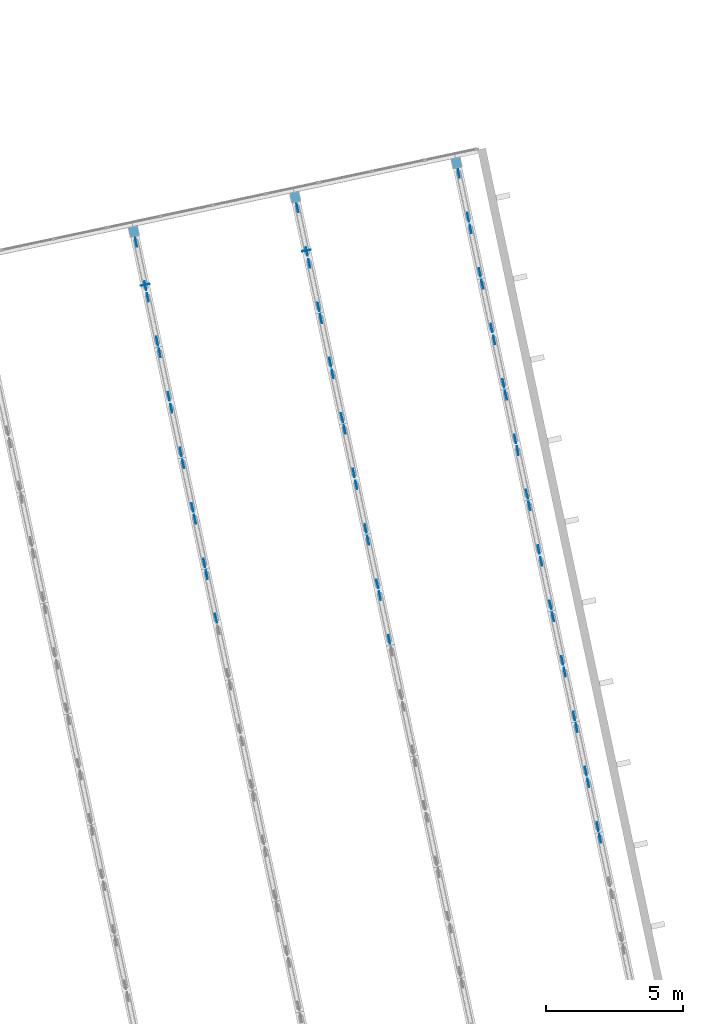
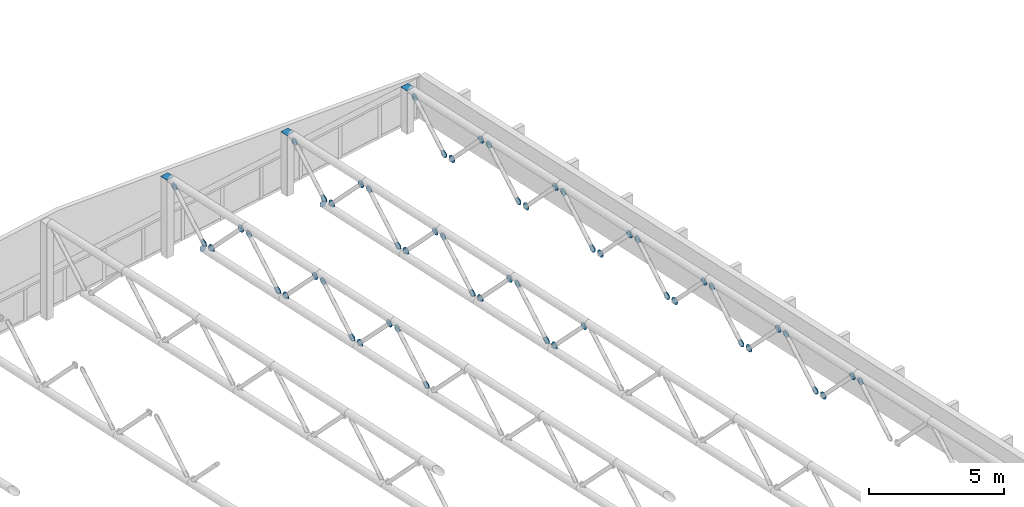
# One storey, part 47 of 58: 60 discrete accessories.
"""IFC4 building model written with IfcOpenShell, lengths in metres."""

from ifc_helpers import new_model, si_unit, direction, frame, origin, origin_2d, place, context, subcontext, project, spatial, rectangle, circle, extrude, material, layer, layer_set, type_object, element, save


model = new_model("IFC4")

# Units and contexts
model_context = context("Model", 3, precision=1e-05, world=origin(), true_north=direction((0.0, 1.0)))
body_context = subcontext(model_context, "Body", "Model", "MODEL_VIEW")
ifc_project = project(units=[si_unit("LENGTHUNIT", "METRE"), si_unit("AREAUNIT", "SQUARE_METRE"), si_unit("VOLUMEUNIT", "CUBIC_METRE"), si_unit("PLANEANGLEUNIT", "RADIAN"), si_unit("MASSUNIT", "GRAM", prefix="KILO")], contexts=[model_context])

# Site, building, storey
site_placement = place(None, origin())
site = spatial("IfcSite", under=ifc_project, at=site_placement, CompositionType="ELEMENT")
building_placement = place(site_placement, origin())
building = spatial("IfcBuilding", under=site, at=building_placement, Name="Windward Yard Aquatics Centre", CompositionType="ELEMENT")
storey_placement = place(building_placement, frame((0.0, 0.0, 13.800048828125)))
storey = spatial("IfcBuildingStorey", under=building, at=storey_placement, Name="L03", CompositionType="ELEMENT", Elevation=13.800048828125)

# Discrete accessories
ifc_material = material(Name="Steel S355", Category="steel")
ifc_layer_1 = layer(ifc_material, 0.010009765625)
ifc_layer_set_1 = layer_set([ifc_layer_1], Name="End cap plate 10 mm CHS323.9x12.7")
discrete_accessory_type_1 = type_object("IfcDiscreteAccessoryType", Name="End cap plate 10 mm CHS323.9x12.7", PredefinedType="USERDEFINED", material=ifc_layer_set_1)
for number, where, z_axis, x_axis, name in (
    (1, (186.687255859375, 78.84619140625, 0.557373046875), (-0.196116135138, 0.980580675691, 0.0), (-0.980580675691, -0.196116135138, 0.0), "End cap"),
    (2, (180.818603515625, 77.5986328125, 1.3466796875), (-0.219512195122, 0.975609756098, 0.0), (-0.975609756098, -0.219512195122, 0.0), "End cap"),
):
    element("IfcDiscreteAccessory", number, at=place(storey_placement, frame(where, z_axis=z_axis, x_axis=x_axis)), inside=storey, type_object=discrete_accessory_type_1, Name=name, ObjectType="END CAP", PredefinedType="USERDEFINED", context=body_context, shape_type="SweptSolid", body=[
        extrude(circle(Radius=0.161865234375, at=origin_2d()), origin(), (0.0, 0.0, 1.0), 0.010009765625),
    ])
ifc_layer_2 = layer(ifc_material, 0.010009765625)
ifc_layer_set_2 = layer_set([ifc_layer_2], Name="End cap plate 10 mm RHS355.6x355.6x15.9")
discrete_accessory_type_2 = type_object("IfcDiscreteAccessoryType", Name="End cap plate 10 mm RHS355.6x355.6x15.9", PredefinedType="USERDEFINED", material=ifc_layer_set_2)
for number, where, z_axis, x_axis, name in (
    (3, (186.27392578125, 80.791015625, 2.75732421875), (0.0, 0.0, 1.0), (0.978147600734, 0.207911690818, 0.0), "End cap"),
    (4, (192.142822265625, 82.038330078125, 1.9677734375), (0.0, 0.0, 1.0), (0.978147600734, 0.207911690818, 0.0), "End cap"),
    (5, (180.405029296875, 79.54345703125, 3.546630859375), (0.0, 0.0, 1.0), (0.978147600734, 0.207911690818, 0.0), "End cap"),
):
    element("IfcDiscreteAccessory", number, at=place(storey_placement, frame(where, z_axis=z_axis, x_axis=x_axis)), inside=storey, type_object=discrete_accessory_type_2, Name=name, ObjectType="END CAP", PredefinedType="USERDEFINED", context=body_context, shape_type="SweptSolid", body=[
        extrude(rectangle(XDim=0.355712890625, YDim=0.355712890625, at=origin_2d()), origin(), (0.0, 0.0, 1.0), 0.010009765625),
    ])
ifc_layer_3 = layer(ifc_material, 0.011962890625)
ifc_layer_set_3 = layer_set([ifc_layer_3], Name="Gusset plate 320 mm disc 12 mm, roof frames")
discrete_accessory_type_3 = type_object("IfcDiscreteAccessoryType", Name="Gusset plate 320 mm disc 12 mm, roof frames", PredefinedType="USERDEFINED", material=ifc_layer_set_3)
for number, where, z_axis, x_axis, name in (
    (6, (183.052001953125, 67.061279296875, 3.311767578125), (0.974732318528, 0.223376156329, 0.0), (-0.223376156329, 0.974732318528, 0.0), "Gusset plate"),
    (7, (183.388916015625, 65.476806640625, 1.581787109375), (0.978980419738, 0.203954254112, 0.0), (-0.203954254112, 0.978980419738, 0.0), "Gusset plate"),
    (8, (182.96044921875, 67.491943359375, 3.311767578125), (0.978980419738, 0.203954254112, 0.0), (-0.203954254112, 0.978980419738, 0.0), "Gusset plate"),
    (9, (182.623779296875, 69.07666015625, 1.581787109375), (0.978980419738, 0.203954254112, 0.0), (-0.203954254112, 0.978980419738, 0.0), "Gusset plate"),
    (10, (182.1953125, 71.091796875, 3.311767578125), (0.974732318528, 0.223376156329, 0.0), (-0.223376156329, 0.974732318528, 0.0), "Gusset plate"),
    (11, (182.5322265625, 69.50732421875, 1.581787109375), (0.978980419738, 0.203954254112, 0.0), (-0.203954254112, 0.978980419738, 0.0), "Gusset plate"),
    (12, (182.103759765625, 71.5224609375, 3.311767578125), (0.978980419738, 0.203954254112, 0.0), (-0.203954254112, 0.978980419738, 0.0), "Gusset plate"),
    (13, (181.76708984375, 73.107177734375, 1.581787109375), (0.978980419738, 0.203954254112, 0.0), (-0.203954254112, 0.978980419738, 0.0), "Gusset plate"),
    (14, (181.338623046875, 75.122314453125, 3.311767578125), (0.978980419738, 0.203954254112, 0.0), (-0.203954254112, 0.978980419738, 0.0), "Gusset plate"),
    (15, (181.675537109375, 73.53759765625, 1.581787109375), (0.978980419738, 0.203954254112, 0.0), (-0.203954254112, 0.978980419738, 0.0), "Gusset plate"),
    (16, (181.2470703125, 75.552734375, 3.311767578125), (0.974732318528, 0.223376156329, 0.0), (-0.223376156329, 0.974732318528, 0.0), "Gusset plate"),
    (17, (180.910400390625, 77.1376953125, 1.581787109375), (0.978980419738, 0.203954254112, 0.0), (-0.203954254112, 0.978980419738, 0.0), "Gusset plate"),
    (18, (180.48193359375, 79.15283203125, 3.311767578125), (0.978980419738, 0.203954254112, 0.0), (-0.203954254112, 0.978980419738, 0.0), "Gusset plate"),
    (19, (180.81884765625, 77.568115234375, 1.581787109375), (0.978980419738, 0.203954254112, 0.0), (-0.203954254112, 0.978980419738, 0.0), "Gusset plate"),
    (20, (189.68603515625, 64.708984375, 2.522216796875), (0.978980419738, 0.203954254112, 0.0), (-0.203954254112, 0.978980419738, 0.0), "Gusset plate"),
    (21, (189.349365234375, 66.293701171875, 0.792236328125), (0.978980419738, 0.203954254112, 0.0), (-0.203954254112, 0.978980419738, 0.0), "Gusset plate"),
    (22, (188.9208984375, 68.308837890625, 2.522216796875), (0.978980419738, 0.203954254112, 0.0), (-0.203954254112, 0.978980419738, 0.0), "Gusset plate"),
    (23, (189.2578125, 66.72412109375, 0.792236328125), (0.974732318528, 0.223376156329, 0.0), (-0.223376156329, 0.974732318528, 0.0), "Gusset plate"),
    (24, (188.829345703125, 68.739501953125, 2.522216796875), (0.978980419738, 0.203954254112, 0.0), (-0.203954254112, 0.978980419738, 0.0), "Gusset plate"),
    (25, (188.49267578125, 70.323974609375, 0.792236328125), (0.974732318528, 0.223376156329, 0.0), (-0.223376156329, 0.974732318528, 0.0), "Gusset plate"),
    (26, (188.064208984375, 72.33935546875, 2.522216796875), (0.978980419738, 0.203954254112, 0.0), (-0.203954254112, 0.978980419738, 0.0), "Gusset plate"),
    (27, (188.401123046875, 70.754638671875, 0.792236328125), (0.978980419738, 0.203954254112, 0.0), (-0.203954254112, 0.978980419738, 0.0), "Gusset plate"),
    (28, (187.97265625, 72.769775390625, 2.522216796875), (0.978980419738, 0.203954254112, 0.0), (-0.203954254112, 0.978980419738, 0.0), "Gusset plate"),
    (29, (187.635986328125, 74.3544921875, 0.792236328125), (0.974732318528, 0.223376156329, 0.0), (-0.223376156329, 0.974732318528, 0.0), "Gusset plate"),
    (30, (187.20751953125, 76.369873046875, 2.522216796875), (0.978980419738, 0.203954254112, 0.0), (-0.203954254112, 0.978980419738, 0.0), "Gusset plate"),
    (31, (187.54443359375, 74.78515625, 0.792236328125), (0.978980419738, 0.203954254112, 0.0), (-0.203954254112, 0.978980419738, 0.0), "Gusset plate"),
    (32, (187.115966796875, 76.80029296875, 2.522216796875), (0.978980419738, 0.203954254112, 0.0), (-0.203954254112, 0.978980419738, 0.0), "Gusset plate"),
    (33, (186.779296875, 78.385009765625, 0.792236328125), (0.978980419738, 0.203954254112, 0.0), (-0.203954254112, 0.978980419738, 0.0), "Gusset plate"),
    (34, (186.350830078125, 80.400390625, 2.522216796875), (0.978980419738, 0.203954254112, 0.0), (-0.203954254112, 0.978980419738, 0.0), "Gusset plate"),
    (35, (186.687744140625, 78.8154296875, 0.792236328125), (0.974732318528, 0.223376156329, 0.0), (-0.223376156329, 0.974732318528, 0.0), "Gusset plate"),
    (36, (197.35986328125, 57.465087890625, 1.73291015625), (0.978980419738, 0.203954254112, 0.0), (-0.203954254112, 0.978980419738, 0.0), "Gusset plate"),
):
    element("IfcDiscreteAccessory", number, at=place(storey_placement, frame(where, z_axis=z_axis, x_axis=x_axis)), inside=storey, type_object=discrete_accessory_type_3, Name=name, ObjectType="GUSSET PLATE", PredefinedType="USERDEFINED", context=body_context, shape_type="SweptSolid", body=[
        extrude(circle(Radius=0.159912109375, at=origin_2d()), origin(), (0.0, 0.0, 1.0), 0.011962890625),
    ])
discrete_accessory_1_placement = place(storey_placement, frame((197.268310546875, 57.8955078125, 1.73291015625), z_axis=(0.97980405878, 0.199960011996, 0.0), x_axis=(-0.199960011996, 0.97980405878, 0.0)))
element("IfcDiscreteAccessory", 37, at=discrete_accessory_1_placement, inside=storey, type_object=discrete_accessory_type_3, Name="Gusset plate", ObjectType="GUSSET PLATE", PredefinedType="USERDEFINED", context=body_context, shape_type="SweptSolid", body=[
    extrude(circle(Radius=0.159912109375, at=origin_2d()), origin(), (0.0, 0.0, 1.0), 0.01220703125),
])
for number, where, z_axis, x_axis, name in (
    (38, (196.931640625, 59.480224609375, 0.0029296875), (0.978980419738, 0.203954254112, 0.0), (-0.203954254112, 0.978980419738, 0.0), "Gusset plate"),
    (39, (196.503173828125, 61.49560546875, 1.73291015625), (0.978980419738, 0.203954254112, 0.0), (-0.203954254112, 0.978980419738, 0.0), "Gusset plate"),
    (40, (196.840087890625, 59.91064453125, 0.0029296875), (0.974732318528, 0.223376156329, 0.0), (-0.223376156329, 0.974732318528, 0.0), "Gusset plate"),
    (41, (196.41162109375, 61.926025390625, 1.73291015625), (0.978980419738, 0.203954254112, 0.0), (-0.203954254112, 0.978980419738, 0.0), "Gusset plate"),
    (42, (196.074951171875, 63.5107421875, 0.0029296875), (0.978980419738, 0.203954254112, 0.0), (-0.203954254112, 0.978980419738, 0.0), "Gusset plate"),
    (43, (195.646484375, 65.52587890625, 1.73291015625), (0.978980419738, 0.203954254112, 0.0), (-0.203954254112, 0.978980419738, 0.0), "Gusset plate"),
    (44, (195.9833984375, 63.941162109375, 0.0029296875), (0.978980419738, 0.203954254112, 0.0), (-0.203954254112, 0.978980419738, 0.0), "Gusset plate"),
    (45, (195.554931640625, 65.956298828125, 1.73291015625), (0.974732318528, 0.223376156329, 0.0), (-0.223376156329, 0.974732318528, 0.0), "Gusset plate"),
    (46, (195.21826171875, 67.541015625, 0.0029296875), (0.974732318528, 0.223376156329, 0.0), (-0.223376156329, 0.974732318528, 0.0), "Gusset plate"),
    (47, (194.789794921875, 69.556396484375, 1.73291015625), (0.978980419738, 0.203954254112, 0.0), (-0.203954254112, 0.978980419738, 0.0), "Gusset plate"),
    (48, (195.126708984375, 67.9716796875, 0.0029296875), (0.978980419738, 0.203954254112, 0.0), (-0.203954254112, 0.978980419738, 0.0), "Gusset plate"),
    (49, (194.6982421875, 69.98681640625, 1.73291015625), (0.974732318528, 0.223376156329, 0.0), (-0.223376156329, 0.974732318528, 0.0), "Gusset plate"),
):
    element("IfcDiscreteAccessory", number, at=place(storey_placement, frame(where, z_axis=z_axis, x_axis=x_axis)), inside=storey, type_object=discrete_accessory_type_3, Name=name, ObjectType="GUSSET PLATE", PredefinedType="USERDEFINED", context=body_context, shape_type="SweptSolid", body=[
        extrude(circle(Radius=0.159912109375, at=origin_2d()), origin(), (0.0, 0.0, 1.0), 0.011962890625),
    ])
discrete_accessory_2_placement = place(storey_placement, frame((194.361328125, 71.571533203125, 0.0029296875), z_axis=(0.97980405878, 0.199960011996, 0.0), x_axis=(-0.199960011996, 0.97980405878, 0.0)))
element("IfcDiscreteAccessory", 50, at=discrete_accessory_2_placement, inside=storey, type_object=discrete_accessory_type_3, Name="Gusset plate", ObjectType="GUSSET PLATE", PredefinedType="USERDEFINED", context=body_context, shape_type="SweptSolid", body=[
    extrude(circle(Radius=0.159912109375, at=origin_2d()), origin(), (0.0, 0.0, 1.0), 0.01220703125),
])
for number, where, z_axis, x_axis, name in (
    (51, (193.93310546875, 73.586669921875, 1.73291015625), (0.974732318528, 0.223376156329, 0.0), (-0.223376156329, 0.974732318528, 0.0), "Gusset plate"),
    (52, (194.27001953125, 72.002197265625, 0.0029296875), (0.978980419738, 0.203954254112, 0.0), (-0.203954254112, 0.978980419738, 0.0), "Gusset plate"),
    (53, (193.841552734375, 74.017333984375, 1.73291015625), (0.978980419738, 0.203954254112, 0.0), (-0.203954254112, 0.978980419738, 0.0), "Gusset plate"),
):
    element("IfcDiscreteAccessory", number, at=place(storey_placement, frame(where, z_axis=z_axis, x_axis=x_axis)), inside=storey, type_object=discrete_accessory_type_3, Name=name, ObjectType="GUSSET PLATE", PredefinedType="USERDEFINED", context=body_context, shape_type="SweptSolid", body=[
        extrude(circle(Radius=0.159912109375, at=origin_2d()), origin(), (0.0, 0.0, 1.0), 0.011962890625),
    ])
discrete_accessory_3_placement = place(storey_placement, frame((193.504638671875, 75.60205078125, 0.0029296875), z_axis=(0.97980405878, 0.199960011996, 0.0), x_axis=(-0.199960011996, 0.97980405878, 0.0)))
element("IfcDiscreteAccessory", 54, at=discrete_accessory_3_placement, inside=storey, type_object=discrete_accessory_type_3, Name="Gusset plate", ObjectType="GUSSET PLATE", PredefinedType="USERDEFINED", context=body_context, shape_type="SweptSolid", body=[
    extrude(circle(Radius=0.159912109375, at=origin_2d()), origin(), (0.0, 0.0, 1.0), 0.01220703125),
])
for number, where, z_axis, x_axis, name in (
    (55, (193.076416015625, 77.6171875, 1.73291015625), (0.974732318528, 0.223376156329, 0.0), (-0.223376156329, 0.974732318528, 0.0), "Gusset plate"),
    (56, (193.413330078125, 76.032470703125, 0.0029296875), (0.978980419738, 0.203954254112, 0.0), (-0.203954254112, 0.978980419738, 0.0), "Gusset plate"),
    (57, (192.98486328125, 78.0478515625, 1.73291015625), (0.978980419738, 0.203954254112, 0.0), (-0.203954254112, 0.978980419738, 0.0), "Gusset plate"),
    (58, (192.64794921875, 79.632568359375, 0.0029296875), (0.978980419738, 0.203954254112, 0.0), (-0.203954254112, 0.978980419738, 0.0), "Gusset plate"),
    (59, (192.2197265625, 81.647705078125, 1.73291015625), (0.978980419738, 0.203954254112, 0.0), (-0.203954254112, 0.978980419738, 0.0), "Gusset plate"),
    (60, (192.556640625, 80.06298828125, 0.0029296875), (0.978980419738, 0.203954254112, 0.0), (-0.203954254112, 0.978980419738, 0.0), "Gusset plate"),
):
    element("IfcDiscreteAccessory", number, at=place(storey_placement, frame(where, z_axis=z_axis, x_axis=x_axis)), inside=storey, type_object=discrete_accessory_type_3, Name=name, ObjectType="GUSSET PLATE", PredefinedType="USERDEFINED", context=body_context, shape_type="SweptSolid", body=[
        extrude(circle(Radius=0.159912109375, at=origin_2d()), origin(), (0.0, 0.0, 1.0), 0.011962890625),
    ])

save(model, "model.ifc")
